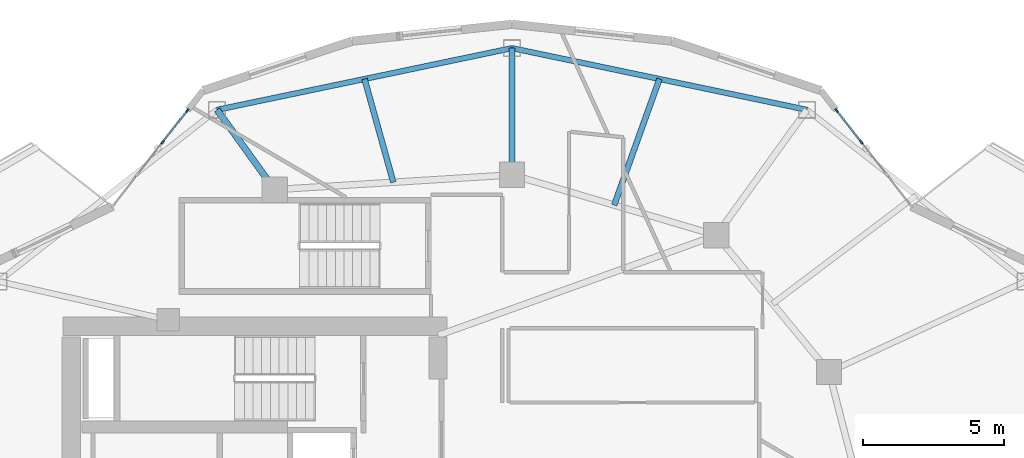
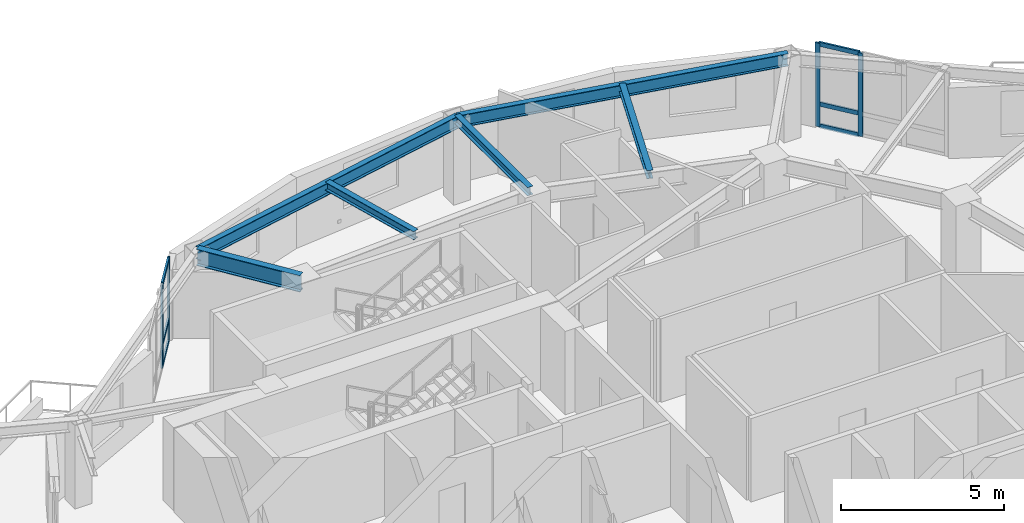
# One storey, part 4 of 13: 10 members, 6 beams, 2 elements without a shape of their own.
"""IFC4 building model written with IfcOpenShell, lengths in metres."""

from ifc_helpers import new_model, si_unit, direction, frame, origin, origin_2d, place, context, subcontext, project, spatial, rectangle, i_section, extrude, material, layer, layer_set, material_profile, profile_set, type_object, element, aggregate, save


model = new_model("IFC4")

# Units and contexts
model_context = context("Model", 3, precision=1e-05, world=origin(), true_north=direction((0.0, 1.0)))
body_context = subcontext(model_context, "Body", "Model", "MODEL_VIEW")
ifc_project = project(units=[si_unit("LENGTHUNIT", "METRE"), si_unit("AREAUNIT", "SQUARE_METRE"), si_unit("VOLUMEUNIT", "CUBIC_METRE"), si_unit("PLANEANGLEUNIT", "RADIAN"), si_unit("MASSUNIT", "GRAM", prefix="KILO")], contexts=[model_context])

# Site, building, storey
site_placement = place(None, origin())
site = spatial("IfcSite", under=ifc_project, at=site_placement, CompositionType="ELEMENT")
building_placement = place(site_placement, origin())
building = spatial("IfcBuilding", under=site, at=building_placement, Name="Kolvaren Gate Tower and Convention Centre", CompositionType="ELEMENT")
storey_placement = place(building_placement, frame((0.0, 0.0, 142.699951171875)))
storey = spatial("IfcBuildingStorey", under=building, at=storey_placement, Name="L36", CompositionType="ELEMENT", Elevation=142.699951171875)

# Curtain wall, members
ifc_material_1 = material(Name="Anodized Architectural Aluminium Alloy 6063-T6", Category="aluminium")
ifc_layer = layer(ifc_material_1, 0.159912109375)
ifc_layer_set = layer_set([ifc_layer], Name="Anodized Architectural Aluminium Alloy 6063-T6")
curtain_wall_type = type_object("IfcCurtainWallType", Name="CW-HTL-UNIT", PredefinedType="NOTDEFINED", material=ifc_layer_set)
curtain_wall_1_placement = place(storey_placement, origin())
curtain_wall_1 = element("IfcCurtainWall", 1, at=curtain_wall_1_placement, inside=storey, type_object=curtain_wall_type, Name="Tower L36 Unitised Curtain Wall CW-HTL-UNIT Bay 03", PredefinedType="NOTDEFINED")
ifc_material_profile_1 = material_profile(ifc_material_1, rectangle(XDim=0.06494140625, YDim=0.159912109375, at=origin_2d()), Name="CW-MEM-MUL-160")
ifc_profile_set_1 = profile_set([ifc_material_profile_1], Name="Anodized Architectural Aluminium Alloy 6063-T6")
member_type_1 = type_object("IfcMemberType", Name="CW-MEM-MUL-160", PredefinedType="MULLION", material=ifc_profile_set_1)
member_1_placement = place(storey_placement, frame((41.65380859375, 41.4833984375, 0.0), z_axis=(0.0, 0.0, 1.0), x_axis=(0.787403535469, 0.616437890084, 0.0)))
member_1 = element("IfcMember", 2, at=member_1_placement, type_object=member_type_1, Name="CW-03 mullion 1", PredefinedType="MULLION", context=body_context, shape_type="SweptSolid", body=[
    extrude(rectangle(XDim=0.06494140625, YDim=0.159912109375, at=origin_2d()), origin(), (0.0, 0.0, 1.0), 3.130126953125),
])
member_2_placement = place(storey_placement, frame((42.527099609375, 40.367919921875, 0.0), z_axis=(0.0, 0.0, 1.0), x_axis=(0.787403535469, 0.616437890084, 0.0)))
member_2 = element("IfcMember", 3, at=member_2_placement, type_object=member_type_1, Name="CW-03 mullion 2", PredefinedType="MULLION", context=body_context, shape_type="SweptSolid", body=[
    extrude(rectangle(XDim=0.06494140625, YDim=0.159912109375, at=origin_2d()), origin(), (0.0, 0.0, 1.0), 3.130126953125),
])

curtain_wall_2_placement = place(storey_placement, origin())
curtain_wall_2 = element("IfcCurtainWall", 4, at=curtain_wall_2_placement, inside=storey, type_object=curtain_wall_type, Name="Tower L36 Unitised Curtain Wall CW-HTL-UNIT Bay 08", PredefinedType="NOTDEFINED")
member_3_placement = place(storey_placement, frame((17.722900390625, 40.367919921875, 0.0), z_axis=(0.0, 0.0, 1.0), x_axis=(-0.787394793807, 0.616449056034, 0.0)))
member_3 = element("IfcMember", 5, at=member_3_placement, type_object=member_type_1, Name="CW-03 mullion 3", PredefinedType="MULLION", context=body_context, shape_type="SweptSolid", body=[
    extrude(rectangle(XDim=0.06494140625, YDim=0.159912109375, at=origin_2d()), origin(), (0.0, 0.0, 1.0), 3.130126953125),
])
member_4_placement = place(storey_placement, frame((18.59619140625, 41.483154296875, 0.0), z_axis=(0.0, 0.0, 1.0), x_axis=(-0.787394793807, 0.616449056034, 0.0)))
member_4 = element("IfcMember", 6, at=member_4_placement, type_object=member_type_1, Name="CW-03 mullion 4", PredefinedType="MULLION", context=body_context, shape_type="SweptSolid", body=[
    extrude(rectangle(XDim=0.06494140625, YDim=0.159912109375, at=origin_2d()), origin(), (0.0, 0.0, 1.0), 3.130126953125),
])

# Member
ifc_material_profile_2 = material_profile(ifc_material_1, rectangle(XDim=0.06494140625, YDim=0.159912109375, at=origin_2d()), Name="CW-MEM-TRN-160")
ifc_profile_set_2 = profile_set([ifc_material_profile_2], Name="Anodized Architectural Aluminium Alloy 6063-T6")
member_type_2 = type_object("IfcMemberType", Name="CW-MEM-TRN-160", PredefinedType="USERDEFINED", material=ifc_profile_set_2)
member_5_placement = place(storey_placement, frame((41.673828125, 41.457763671875, 0.032470703125), z_axis=(0.616488451497, -0.787363949626, 0.0), x_axis=(0.787363949626, 0.616488451497, 0.0)))
member_5 = element("IfcMember", 7, at=member_5_placement, type_object=member_type_2, Name="CW-03 transom 1.1", ObjectType="TRANSOM", PredefinedType="USERDEFINED", context=body_context, shape_type="SweptSolid", body=[
    extrude(rectangle(XDim=0.06494140625, YDim=0.159912109375, at=origin_2d()), origin(), (0.0, 0.0, 1.0), 1.3515625),
])

member_6_placement = place(storey_placement, frame((41.673828125, 41.457763671875, 0.85009765625), z_axis=(0.616488451497, -0.787363949626, 0.0), x_axis=(0.787363949626, 0.616488451497, 0.0)))
member_6 = element("IfcMember", 8, at=member_6_placement, type_object=member_type_2, Name="CW-03 transom 1.2", ObjectType="TRANSOM", PredefinedType="USERDEFINED", context=body_context, shape_type="SweptSolid", body=[
    extrude(rectangle(XDim=0.06494140625, YDim=0.159912109375, at=origin_2d()), origin(), (0.0, 0.0, 1.0), 1.3515625),
])

member_7_placement = place(storey_placement, frame((41.673828125, 41.457763671875, 3.09765625), z_axis=(0.616488451497, -0.787363949626, 0.0), x_axis=(0.787363949626, 0.616488451497, 0.0)))
member_7 = element("IfcMember", 9, at=member_7_placement, type_object=member_type_2, Name="CW-03 transom 1.3", ObjectType="TRANSOM", PredefinedType="USERDEFINED", context=body_context, shape_type="SweptSolid", body=[
    extrude(rectangle(XDim=0.06494140625, YDim=0.159912109375, at=origin_2d()), origin(), (0.0, 0.0, 1.0), 1.3515625),
])

aggregate(curtain_wall_1, [member_1, member_2, member_5, member_6, member_7])

member_8_placement = place(storey_placement, frame((17.742919921875, 40.3935546875, 0.032470703125), z_axis=(0.61657613784, 0.787295285294, 0.0), x_axis=(-0.787295285294, 0.61657613784, 0.0)))
member_8 = element("IfcMember", 10, at=member_8_placement, type_object=member_type_2, Name="CW-03 transom 3.1", ObjectType="TRANSOM", PredefinedType="USERDEFINED", context=body_context, shape_type="SweptSolid", body=[
    extrude(rectangle(XDim=0.06494140625, YDim=0.159912109375, at=origin_2d()), origin(), (0.0, 0.0, 1.0), 1.351318359375),
])

member_9_placement = place(storey_placement, frame((17.742919921875, 40.3935546875, 0.85009765625), z_axis=(0.61657613784, 0.787295285294, 0.0), x_axis=(-0.787295285294, 0.61657613784, 0.0)))
member_9 = element("IfcMember", 11, at=member_9_placement, type_object=member_type_2, Name="CW-03 transom 3.2", ObjectType="TRANSOM", PredefinedType="USERDEFINED", context=body_context, shape_type="SweptSolid", body=[
    extrude(rectangle(XDim=0.06494140625, YDim=0.159912109375, at=origin_2d()), origin(), (0.0, 0.0, 1.0), 1.351318359375),
])

member_10_placement = place(storey_placement, frame((17.742919921875, 40.3935546875, 3.09765625), z_axis=(0.61657613784, 0.787295285294, 0.0), x_axis=(-0.787295285294, 0.61657613784, 0.0)))
member_10 = element("IfcMember", 12, at=member_10_placement, type_object=member_type_2, Name="CW-03 transom 3.3", ObjectType="TRANSOM", PredefinedType="USERDEFINED", context=body_context, shape_type="SweptSolid", body=[
    extrude(rectangle(XDim=0.06494140625, YDim=0.159912109375, at=origin_2d()), origin(), (0.0, 0.0, 1.0), 1.351318359375),
])

aggregate(curtain_wall_2, [member_3, member_4, member_8, member_9, member_10])

# Beams
ifc_material_2 = material(Name="Structural steel ASTM A992 Grade 345 MPa", Category="steel")
ifc_material_profile_3 = material_profile(ifc_material_2, i_section(OverallWidth=0.22998046875, OverallDepth=0.616943359375, WebThickness=0.01318359375, FlangeThickness=0.022216796875, at=origin_2d()), Name="W610X140")
ifc_profile_set_3 = profile_set([ifc_material_profile_3], Name="Structural steel ASTM A992 Grade 345 MPa")
beam_type_1 = type_object("IfcBeamType", Name="STR-BM-W610X140", PredefinedType="BEAM", material=ifc_profile_set_3)
beam_1_placement = place(storey_placement, frame((21.697998046875, 38.6767578125, 2.821533203125), z_axis=(-0.585171547435, 0.810909526441, 0.0), x_axis=(-0.810909526441, -0.585171547435, 0.0)))
element("IfcBeam", 13, at=beam_1_placement, inside=storey, type_object=beam_type_1, Name="Tower L36 Radial Floor Girder RB-05", PredefinedType="BEAM", context=body_context, shape_type="SweptSolid", body=[
    extrude(i_section(OverallWidth=0.22998046875, OverallDepth=0.616943359375, WebThickness=0.01318359375, FlangeThickness=0.022216796875, at=origin_2d()), origin(), (0.0, 0.0, 1.0), 3.493408203125),
])
ifc_material_profile_4 = material_profile(ifc_material_2, i_section(OverallWidth=0.205078125, OverallDepth=0.31005859375, WebThickness=0.009521484375, FlangeThickness=0.016357421875, at=origin_2d()), Name="W310X74")
ifc_profile_set_4 = profile_set([ifc_material_profile_4], Name="Structural steel ASTM A992 Grade 345 MPa")
beam_type_2 = type_object("IfcBeamType", Name="STR-JS-W310X74", PredefinedType="JOIST", material=ifc_profile_set_4)
beam_2_placement = place(storey_placement, frame((30.125, 39.199951171875, 2.97509765625), z_axis=(0.0, 1.0, 0.0), x_axis=(-1.0, 0.0, 0.0)))
element("IfcBeam", 14, at=beam_2_placement, inside=storey, type_object=beam_type_2, Name="Tower L36 Radial Floor Girder RB-04", PredefinedType="JOIST", context=body_context, shape_type="SweptSolid", body=[
    extrude(i_section(OverallWidth=0.205078125, OverallDepth=0.31005859375, WebThickness=0.009521484375, FlangeThickness=0.016357421875, at=origin_2d()), origin(), (0.0, 0.0, 1.0), 4.5),
])
beam_3_placement = place(storey_placement, frame((33.75341796875, 38.12744140625, 2.97509765625), z_axis=(0.33785426197, 0.941198436924, 0.0), x_axis=(-0.941198436924, 0.33785426197, 0.0)))
element("IfcBeam", 15, at=beam_3_placement, inside=storey, type_object=beam_type_2, Name="Tower L36 Secondary Composite Floor Joist J-03.1", PredefinedType="JOIST", context=body_context, shape_type="SweptSolid", body=[
    extrude(i_section(OverallWidth=0.205078125, OverallDepth=0.31005859375, WebThickness=0.009521484375, FlangeThickness=0.016357421875, at=origin_2d()), origin(), (0.0, 0.0, 1.0), 4.757080078125),
])
beam_4_placement = place(storey_placement, frame((25.91162109375, 38.938232421875, 2.97509765625), z_axis=(-0.26855678261, 0.963263855085, 0.0), x_axis=(-0.963263855085, -0.26855678261, 0.0)))
element("IfcBeam", 16, at=beam_4_placement, inside=storey, type_object=beam_type_2, Name="Tower L36 Secondary Composite Floor Joist J-04.1", PredefinedType="JOIST", context=body_context, shape_type="SweptSolid", body=[
    extrude(i_section(OverallWidth=0.205078125, OverallDepth=0.31005859375, WebThickness=0.009521484375, FlangeThickness=0.016357421875, at=origin_2d()), origin(), (0.0, 0.0, 1.0), 3.806396484375),
])
ifc_material_profile_5 = material_profile(ifc_material_2, i_section(OverallWidth=0.194091796875, OverallDepth=0.468994140625, WebThickness=0.0126953125, FlangeThickness=0.0205078125, at=origin_2d()), Name="W460X106")
ifc_profile_set_5 = profile_set([ifc_material_profile_5], Name="Structural steel ASTM A992 Grade 345 MPa")
beam_type_3 = type_object("IfcBeamType", Name="STR-SP-W460X106", PredefinedType="SPANDREL", material=ifc_profile_set_5)
beam_5_placement = place(storey_placement, frame((40.596435546875, 41.509521484375, 2.8955078125), z_axis=(-0.978814350133, 0.204749769168, 0.0), x_axis=(-0.204749769168, -0.978814350133, 0.0)))
element("IfcBeam", 17, at=beam_5_placement, inside=storey, type_object=beam_type_3, Name="Tower L36 Perimeter Spandrel Beam SP-03", PredefinedType="SPANDREL", context=body_context, shape_type="SweptSolid", body=[
    extrude(i_section(OverallWidth=0.194091796875, OverallDepth=0.468994140625, WebThickness=0.0126953125, FlangeThickness=0.0205078125, at=origin_2d()), origin(), (0.0, 0.0, 1.0), 10.697998046875),
])
beam_6_placement = place(storey_placement, frame((30.125, 43.699951171875, 2.8955078125), z_axis=(-0.978813393389, -0.204754342865, 0.0), x_axis=(0.204754342865, -0.978813393389, 0.0)))
element("IfcBeam", 18, at=beam_6_placement, inside=storey, type_object=beam_type_3, Name="Tower L36 Perimeter Spandrel Beam SP-04", PredefinedType="SPANDREL", context=body_context, shape_type="SweptSolid", body=[
    extrude(i_section(OverallWidth=0.194091796875, OverallDepth=0.468994140625, WebThickness=0.0126953125, FlangeThickness=0.0205078125, at=origin_2d()), origin(), (0.0, 0.0, 1.0), 10.69775390625),
])

save(model, "model.ifc")
